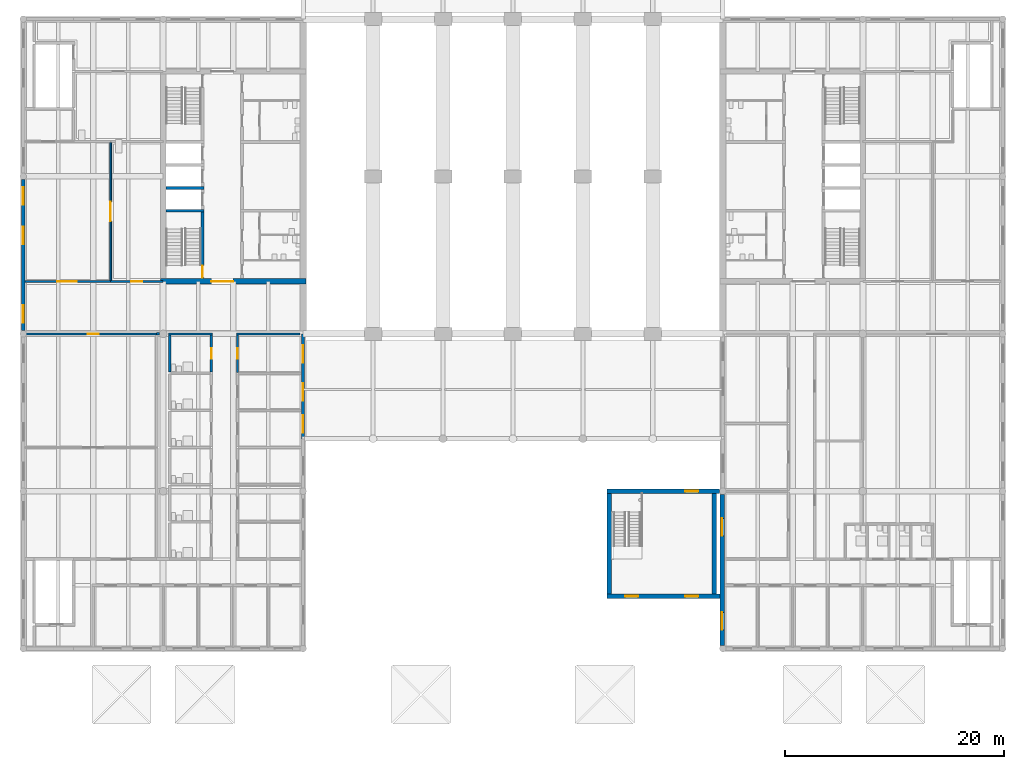
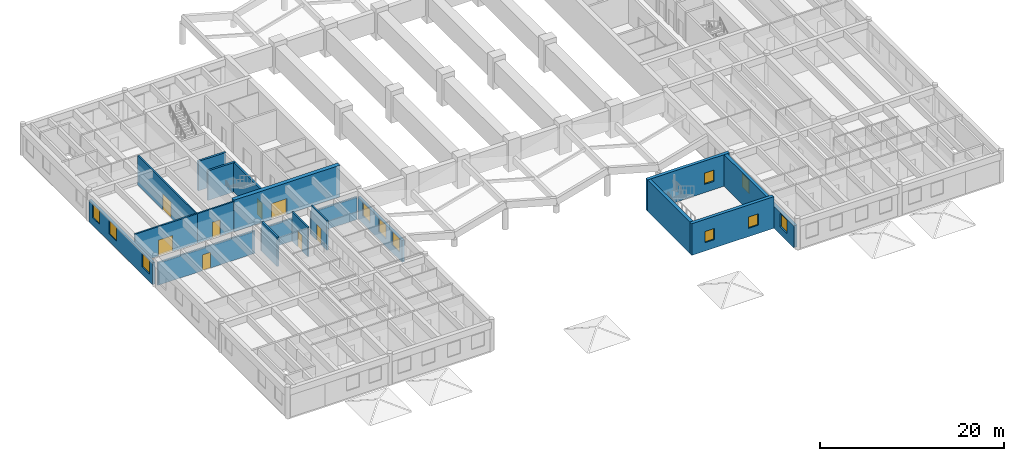
# One storey, part 7 of 19: 21 walls, 11 windows, 8 doors, 19 openings.
"""IFC4 building model written with IfcOpenShell, lengths in metres."""

from ifc_helpers import new_model, si_unit, direction, frame, frame_2d, origin, place, context, subcontext, project, spatial, rectangle, extrude, material, layer, layer_set, type_object, element, fill, save


model = new_model("IFC4")

# Units and contexts
model_context = context("Model", 3, precision=1e-05, world=origin(), true_north=direction((0.0, 1.0)))
body_context = subcontext(model_context, "Body", "Model", "MODEL_VIEW")
ifc_project = project(units=[si_unit("LENGTHUNIT", "METRE"), si_unit("AREAUNIT", "SQUARE_METRE"), si_unit("VOLUMEUNIT", "CUBIC_METRE"), si_unit("PLANEANGLEUNIT", "RADIAN"), si_unit("MASSUNIT", "GRAM", prefix="KILO")], contexts=[model_context])

# Site, building, storey
site_placement = place(None, origin())
site = spatial("IfcSite", under=ifc_project, at=site_placement, CompositionType="ELEMENT")
building_placement = place(site_placement, origin())
building = spatial("IfcBuilding", under=site, at=building_placement, Name="Fogon Plaza Fire Station and Headquarters Tower", CompositionType="ELEMENT")
storey_placement = place(building_placement, frame((0.0, 0.0, 4.199951171875)))
storey = spatial("IfcBuildingStorey", under=building, at=storey_placement, Name="L01", CompositionType="ELEMENT", Elevation=4.199951171875)

# Wall, openings, windows
ifc_material_1 = material(Name="Concrete C40", Category="concrete")
ifc_layer_1 = layer(ifc_material_1, 0.300048828125)
ifc_layer_set_1 = layer_set([ifc_layer_1], Name="Concrete C40")
wall_type_1 = type_object("IfcWallType", Name="Board-marked RC Infill Wall 300 Beam Head 100", PredefinedType="SOLIDWALL", material=ifc_layer_set_1)
wall_1_placement = place(storey_placement, frame((0.0, 29.10009765625, 0.0), z_axis=(0.0, 0.0, 1.0), x_axis=(0.0, 1.0, 0.0)))
wall_1 = element("IfcWall", 1, at=wall_1_placement, inside=storey, type_object=wall_type_1, Name="Exterior wall WW L01", PredefinedType="SOLIDWALL", context=body_context, shape_type="SweptSolid", body=[
    extrude(rectangle(XDim=13.7998046875, YDim=0.300048828125, at=frame_2d((6.89990234375, 0.0))), origin(), (0.0, 0.0, 1.0), 2.900146484375),
])
opening_1_placement = place(wall_1_placement, frame((0.699951171875, 0.0, 1.0)))
opening_1 = element("IfcOpeningElement", 2, at=opening_1_placement, cuts=wall_1, Name="Opening W1", PredefinedType="OPENING", context=body_context, shape_type="SweptSolid", body=[
    extrude(rectangle(XDim=1.60009765625, YDim=1.800048828125, at=frame_2d((0.800048828125, 0.89990234375))), frame((0.0, 0.159912109375, 0.0), z_axis=(0.0, -1.0, 0.0), x_axis=(1.0, 0.0, 0.0)), (0.0, 0.0, 1.0), 0.320068359375),
])
opening_2_placement = place(wall_1_placement, frame((7.89990234375, 0.0, 1.0)))
opening_2 = element("IfcOpeningElement", 3, at=opening_2_placement, cuts=wall_1, Name="Opening W1", PredefinedType="OPENING", context=body_context, shape_type="SweptSolid", body=[
    extrude(rectangle(XDim=1.60009765625, YDim=1.800048828125, at=frame_2d((0.800048828125, 0.89990234375))), frame((0.0, 0.159912109375, 0.0), z_axis=(0.0, -1.0, 0.0), x_axis=(1.0, 0.0, 0.0)), (0.0, 0.0, 1.0), 0.320068359375),
])
opening_3_placement = place(wall_1_placement, frame((11.5, 0.0, 1.0)))
opening_3 = element("IfcOpeningElement", 4, at=opening_3_placement, cuts=wall_1, Name="Opening W1", PredefinedType="OPENING", context=body_context, shape_type="SweptSolid", body=[
    extrude(rectangle(XDim=1.60009765625, YDim=1.800048828125, at=frame_2d((0.800048828125, 0.89990234375))), frame((0.0, 0.159912109375, 0.0), z_axis=(0.0, -1.0, 0.0), x_axis=(1.0, 0.0, 0.0)), (0.0, 0.0, 1.0), 0.320068359375),
])
ifc_material_2 = material(Name="Aluminium framed double glazing", Category="aluminium")
window_type_1 = type_object("IfcWindowType", Name="Window W1 1600x1800", PartitioningType="SINGLE_PANEL", PredefinedType="WINDOW", material=ifc_material_2)
window_1_placement = place(opening_1_placement, origin())
window_1 = element("IfcWindow", 5, at=window_1_placement, inside=storey, type_object=window_type_1, Name="Window W1 W L01", OverallHeight=1.800048828125, OverallWidth=1.60009765625, PartitioningType="SINGLE_PANEL", PredefinedType="WINDOW", context=body_context, shape_type="SweptSolid", body=[
    extrude(rectangle(XDim=1.60009765625, YDim=1.800048828125, at=frame_2d((0.800048828125, 0.89990234375))), frame((0.0, 0.030029296875, 0.0), z_axis=(0.0, -1.0, 0.0), x_axis=(1.0, 0.0, 0.0)), (0.0, 0.0, 1.0), 0.06005859375),
])
fill(opening_1, window_1)
window_2_placement = place(opening_2_placement, origin())
window_2 = element("IfcWindow", 6, at=window_2_placement, inside=storey, type_object=window_type_1, Name="Window W1 W L01", OverallHeight=1.800048828125, OverallWidth=1.60009765625, PartitioningType="SINGLE_PANEL", PredefinedType="WINDOW", context=body_context, shape_type="SweptSolid", body=[
    extrude(rectangle(XDim=1.60009765625, YDim=1.800048828125, at=frame_2d((0.800048828125, 0.89990234375))), frame((0.0, 0.030029296875, 0.0), z_axis=(0.0, -1.0, 0.0), x_axis=(1.0, 0.0, 0.0)), (0.0, 0.0, 1.0), 0.06005859375),
])
fill(opening_2, window_2)
window_3_placement = place(opening_3_placement, origin())
window_3 = element("IfcWindow", 7, at=window_3_placement, inside=storey, type_object=window_type_1, Name="Window W1 W L01", OverallHeight=1.800048828125, OverallWidth=1.60009765625, PartitioningType="SINGLE_PANEL", PredefinedType="WINDOW", context=body_context, shape_type="SweptSolid", body=[
    extrude(rectangle(XDim=1.60009765625, YDim=1.800048828125, at=frame_2d((0.800048828125, 0.89990234375))), frame((0.0, 0.030029296875, 0.0), z_axis=(0.0, -1.0, 0.0), x_axis=(1.0, 0.0, 0.0)), (0.0, 0.0, 1.0), 0.06005859375),
])
fill(opening_3, window_3)

wall_2_placement = place(storey_placement, frame((25.60009765625, 19.199951171875, 0.0), z_axis=(0.0, 0.0, 1.0), x_axis=(0.0, 1.0, 0.0)))
wall_2 = element("IfcWall", 8, at=wall_2_placement, inside=storey, type_object=wall_type_1, Name="Exterior wall WE L01", PredefinedType="SOLIDWALL", context=body_context, shape_type="SweptSolid", body=[
    extrude(rectangle(XDim=9.60009765625, YDim=0.300048828125, at=frame_2d((4.800048828125, 0.0))), origin(), (0.0, 0.0, 1.0), 2.900146484375),
])
opening_4_placement = place(wall_2_placement, frame((0.53759765625, 0.0, 1.0)))
opening_4 = element("IfcOpeningElement", 9, at=opening_4_placement, cuts=wall_2, Name="Opening W1", PredefinedType="OPENING", context=body_context, shape_type="SweptSolid", body=[
    extrude(rectangle(XDim=1.60009765625, YDim=1.800048828125, at=frame_2d((0.800048828125, 0.89990234375))), frame((0.0, 0.159912109375, 0.0), z_axis=(0.0, -1.0, 0.0), x_axis=(1.0, 0.0, 0.0)), (0.0, 0.0, 1.0), 0.320068359375),
])
opening_5_placement = place(wall_2_placement, frame((3.5, 0.0, 1.0)))
opening_5 = element("IfcOpeningElement", 10, at=opening_5_placement, cuts=wall_2, Name="Opening W1", PredefinedType="OPENING", context=body_context, shape_type="SweptSolid", body=[
    extrude(rectangle(XDim=1.60009765625, YDim=1.800048828125, at=frame_2d((0.800048828125, 0.89990234375))), frame((0.0, 0.159912109375, 0.0), z_axis=(0.0, -1.0, 0.0), x_axis=(1.0, 0.0, 0.0)), (0.0, 0.0, 1.0), 0.320068359375),
])
opening_6_placement = place(wall_2_placement, frame((6.96240234375, 0.0, 1.0)))
opening_6 = element("IfcOpeningElement", 11, at=opening_6_placement, cuts=wall_2, Name="Opening W1", PredefinedType="OPENING", context=body_context, shape_type="SweptSolid", body=[
    extrude(rectangle(XDim=1.60009765625, YDim=1.800048828125, at=frame_2d((0.800048828125, 0.89990234375))), frame((0.0, 0.159912109375, 0.0), z_axis=(0.0, -1.0, 0.0), x_axis=(1.0, 0.0, 0.0)), (0.0, 0.0, 1.0), 0.320068359375),
])
window_4_placement = place(opening_4_placement, origin())
window_4 = element("IfcWindow", 12, at=window_4_placement, inside=storey, type_object=window_type_1, Name="Window W1 E L01", OverallHeight=1.800048828125, OverallWidth=1.60009765625, PartitioningType="SINGLE_PANEL", PredefinedType="WINDOW", context=body_context, shape_type="SweptSolid", body=[
    extrude(rectangle(XDim=1.60009765625, YDim=1.800048828125, at=frame_2d((0.800048828125, 0.89990234375))), frame((0.0, 0.030029296875, 0.0), z_axis=(0.0, -1.0, 0.0), x_axis=(1.0, 0.0, 0.0)), (0.0, 0.0, 1.0), 0.06005859375),
])
fill(opening_4, window_4)
window_5_placement = place(opening_5_placement, origin())
window_5 = element("IfcWindow", 13, at=window_5_placement, inside=storey, type_object=window_type_1, Name="Window W1 E L01", OverallHeight=1.800048828125, OverallWidth=1.60009765625, PartitioningType="SINGLE_PANEL", PredefinedType="WINDOW", context=body_context, shape_type="SweptSolid", body=[
    extrude(rectangle(XDim=1.60009765625, YDim=1.800048828125, at=frame_2d((0.800048828125, 0.89990234375))), frame((0.0, 0.030029296875, 0.0), z_axis=(0.0, -1.0, 0.0), x_axis=(1.0, 0.0, 0.0)), (0.0, 0.0, 1.0), 0.06005859375),
])
fill(opening_5, window_5)
window_6_placement = place(opening_6_placement, origin())
window_6 = element("IfcWindow", 14, at=window_6_placement, inside=storey, type_object=window_type_1, Name="Window W1 E L01", OverallHeight=1.800048828125, OverallWidth=1.60009765625, PartitioningType="SINGLE_PANEL", PredefinedType="WINDOW", context=body_context, shape_type="SweptSolid", body=[
    extrude(rectangle(XDim=1.60009765625, YDim=1.800048828125, at=frame_2d((0.800048828125, 0.89990234375))), frame((0.0, 0.030029296875, 0.0), z_axis=(0.0, -1.0, 0.0), x_axis=(1.0, 0.0, 0.0)), (0.0, 0.0, 1.0), 0.06005859375),
])
fill(opening_6, window_6)

ifc_material_3 = material(Name="Concrete C40", Category="concrete")
ifc_layer_2 = layer(ifc_material_3, 0.425048828125)
ifc_layer_set_2 = layer_set([ifc_layer_2], Name="Concrete C40")
wall_type_2 = type_object("IfcWallType", Name="Board-marked RC Infill Wall 425", PredefinedType="SOLIDWALL", material=ifc_layer_set_2)
wall_3_placement = place(storey_placement, frame((63.9375, 0.300048828125, 0.0), z_axis=(0.0, 0.0, 1.0), x_axis=(0.0, 1.0, 0.0)))
wall_3 = element("IfcWall", 15, at=wall_3_placement, inside=storey, type_object=wall_type_2, Name="Exterior wall EW L01", PredefinedType="SOLIDWALL", context=body_context, shape_type="SweptSolid", body=[
    extrude(rectangle(XDim=13.800048828125, YDim=0.425048828125, at=frame_2d((6.89990234375, 0.0))), origin(), (0.0, 0.0, 1.0), 2.900146484375),
])
opening_7_placement = place(wall_3_placement, frame((1.425048828125, 0.0, 1.0)))
opening_7 = element("IfcOpeningElement", 16, at=opening_7_placement, cuts=wall_3, Name="Opening W1", PredefinedType="OPENING", context=body_context, shape_type="SweptSolid", body=[
    extrude(rectangle(XDim=1.60009765625, YDim=1.800048828125, at=frame_2d((0.800048828125, 0.89990234375))), frame((0.0, 0.222412109375, 0.0), z_axis=(0.0, -1.0, 0.0), x_axis=(1.0, 0.0, 0.0)), (0.0, 0.0, 1.0), 0.445068359375),
])
opening_8_placement = place(wall_3_placement, frame((10.02490234375, 0.0, 1.0)))
opening_8 = element("IfcOpeningElement", 17, at=opening_8_placement, cuts=wall_3, Name="Opening W1", PredefinedType="OPENING", context=body_context, shape_type="SweptSolid", body=[
    extrude(rectangle(XDim=1.60009765625, YDim=1.800048828125, at=frame_2d((0.800048828125, 0.89990234375))), frame((0.0, 0.222412109375, 0.0), z_axis=(0.0, -1.0, 0.0), x_axis=(1.0, 0.0, 0.0)), (0.0, 0.0, 1.0), 0.445068359375),
])
window_7_placement = place(opening_7_placement, origin())
window_7 = element("IfcWindow", 18, at=window_7_placement, inside=storey, type_object=window_type_1, Name="Window W1 W L01", OverallHeight=1.800048828125, OverallWidth=1.60009765625, PartitioningType="SINGLE_PANEL", PredefinedType="WINDOW", context=body_context, shape_type="SweptSolid", body=[
    extrude(rectangle(XDim=1.60009765625, YDim=1.800048828125, at=frame_2d((0.800048828125, 0.89990234375))), frame((0.0, 0.030029296875, 0.0), z_axis=(0.0, -1.0, 0.0), x_axis=(1.0, 0.0, 0.0)), (0.0, 0.0, 1.0), 0.06005859375),
])
fill(opening_7, window_7)
window_8_placement = place(opening_8_placement, origin())
window_8 = element("IfcWindow", 19, at=window_8_placement, inside=storey, type_object=window_type_1, Name="Window W1 W L01", OverallHeight=1.800048828125, OverallWidth=1.60009765625, PartitioningType="SINGLE_PANEL", PredefinedType="WINDOW", context=body_context, shape_type="SweptSolid", body=[
    extrude(rectangle(XDim=1.60009765625, YDim=1.800048828125, at=frame_2d((0.800048828125, 0.89990234375))), frame((0.0, 0.030029296875, 0.0), z_axis=(0.0, -1.0, 0.0), x_axis=(1.0, 0.0, 0.0)), (0.0, 0.0, 1.0), 0.06005859375),
])
fill(opening_8, window_8)

# Walls
ifc_material_4 = material(Name="Concrete C40", Category="concrete")
ifc_layer_3 = layer(ifc_material_4, 0.25)
ifc_layer_set_3 = layer_set([ifc_layer_3], Name="Concrete C40")
wall_type_3 = type_object("IfcWallType", Name="Core Wall RC 250", PredefinedType="SOLIDWALL", material=ifc_layer_set_3)
for number, where, z_axis, x_axis, name in (
    (20, (13.050048828125, 40.050048828125, 0.0), (0.0, 0.0, 1.0), (1.0, 0.0, 0.0), "Core A shaft wall"),
    (21, (13.050048828125, 42.14990234375, 0.0), (0.0, 0.0, 1.0), (1.0, 0.0, 0.0), "Core A shaft wall"),
):
    element("IfcWall", number, at=place(storey_placement, frame(where, z_axis=z_axis, x_axis=x_axis)), inside=storey, type_object=wall_type_3, Name=name, PredefinedType="SOLIDWALL", context=body_context, shape_type="SweptSolid", body=[
        extrude(rectangle(XDim=3.474853515625, YDim=0.25, at=frame_2d((1.7373046875, 0.0))), origin(), (0.0, 0.0, 1.0), 3.900146484375),
    ])

# Wall, opening, door
wall_4_placement = place(storey_placement, frame((16.39990234375, 33.85009765625, 0.0), z_axis=(0.0, 0.0, 1.0), x_axis=(0.0, 1.0, 0.0)))
wall_4 = element("IfcWall", 22, at=wall_4_placement, inside=storey, type_object=wall_type_3, Name="Core A shaft wall", PredefinedType="SOLIDWALL", context=body_context, shape_type="SweptSolid", body=[
    extrude(rectangle(XDim=6.074951171875, YDim=0.25, at=frame_2d((3.03759765625, 0.0))), origin(), (0.0, 0.0, 1.0), 3.900146484375),
])
opening_9_placement = place(wall_4_placement, frame((0.10009765625, 0.0, 0.0)))
opening_9 = element("IfcOpeningElement", 23, at=opening_9_placement, cuts=wall_4, Name="Opening L01-D01", PredefinedType="OPENING", context=body_context, shape_type="SweptSolid", body=[
    extrude(rectangle(XDim=1.10009765625, YDim=2.10009765625, at=frame_2d((0.550048828125, 1.050048828125))), frame((0.0, 0.135009765625, 0.0), z_axis=(0.0, -1.0, 0.0), x_axis=(1.0, 0.0, 0.0)), (0.0, 0.0, 1.0), 0.27001953125),
])
ifc_material_5 = material(Name="Steel Fire Door Leaf", Category="steel")
door_type_1 = type_object("IfcDoorType", Name="Stair Door Single 1100x2100", OperationType="SINGLE_SWING_LEFT", PredefinedType="DOOR", material=ifc_material_5)
door_1_placement = place(opening_9_placement, origin())
door_1 = element("IfcDoor", 24, at=door_1_placement, inside=storey, type_object=door_type_1, Name="Stair door ST1", OperationType="SINGLE_SWING_LEFT", OverallHeight=2.10009765625, OverallWidth=1.10009765625, PredefinedType="DOOR", context=body_context, shape_type="SweptSolid", body=[
    extrude(rectangle(XDim=1.10009765625, YDim=2.10009765625, at=frame_2d((0.550048828125, 1.050048828125))), frame((0.0, 0.02490234375, 0.0), z_axis=(0.0, -1.0, 0.0), x_axis=(1.0, 0.0, 0.0)), (0.0, 0.0, 1.0), 0.050048828125),
])
fill(opening_9, door_1)

ifc_material_6 = material(Name="Gypsum Board Fire Partition")
ifc_layer_4 = layer(ifc_material_6, 0.199951171875)
ifc_layer_set_4 = layer_set([ifc_layer_4], Name="Gypsum Board Fire Partition")
wall_type_4 = type_object("IfcWallType", Name="Corridor Wall EI 60", PredefinedType="PARTITIONING", material=ifc_layer_set_4)
wall_5_placement = place(storey_placement, frame((0.14990234375, 33.60009765625, 0.0), z_axis=(0.0, 0.0, 1.0), x_axis=(1.0, 0.0, 0.0)))
wall_5 = element("IfcWall", 25, at=wall_5_placement, inside=storey, type_object=wall_type_4, Name="wall-L01-W-029", PredefinedType="PARTITIONING", context=body_context, shape_type="SweptSolid", body=[
    extrude(rectangle(XDim=7.85009765625, YDim=0.199951171875, at=frame_2d((3.925048828125, 0.0))), origin(), (0.0, 0.0, 1.0), 3.900146484375),
])
opening_10_placement = place(wall_5_placement, frame((2.949951171875, 0.0, 0.0)))
opening_10 = element("IfcOpeningElement", 26, at=opening_10_placement, cuts=wall_5, Name="Opening L01-D53", PredefinedType="OPENING", context=body_context, shape_type="SweptSolid", body=[
    extrude(rectangle(XDim=1.800048828125, YDim=2.10009765625, at=frame_2d((0.89990234375, 1.050048828125))), frame((0.0, 0.10986328125, 0.0), z_axis=(0.0, -1.0, 0.0), x_axis=(1.0, 0.0, 0.0)), (0.0, 0.0, 1.0), 0.219970703125),
])
ifc_material_7 = material(Name="Steel Fire Door Leaf", Category="steel")
door_type_2 = type_object("IfcDoorType", Name="Corridor Door Double EI 20 1800x2100", OperationType="SINGLE_SWING_LEFT", PredefinedType="DOOR", material=ifc_material_7)
door_2_placement = place(opening_10_placement, frame((1.800048828125, 0.0, 0.0), z_axis=(0.0, 0.0, 1.0), x_axis=(-1.0, 0.0, 0.0)))
door_2 = element("IfcDoor", 27, at=door_2_placement, inside=storey, type_object=door_type_2, Name="door-L01-W-23", OperationType="DOUBLE_DOOR_SINGLE_SWING", OverallHeight=2.10009765625, OverallWidth=1.800048828125, PredefinedType="DOOR", context=body_context, shape_type="SweptSolid", body=[
    extrude(rectangle(XDim=1.800048828125, YDim=2.10009765625, at=frame_2d((0.89990234375, 1.050048828125))), frame((0.0, 0.02490234375, 0.0), z_axis=(0.0, -1.0, 0.0), x_axis=(1.0, 0.0, 0.0)), (0.0, 0.0, 1.0), 0.050048828125),
])
fill(opening_10, door_2)

wall_6_placement = place(storey_placement, frame((8.0, 33.60009765625, 0.0), z_axis=(0.0, 0.0, 1.0), x_axis=(1.0, 0.0, 0.0)))
wall_6 = element("IfcWall", 28, at=wall_6_placement, inside=storey, type_object=wall_type_4, Name="wall-L01-W-030", PredefinedType="PARTITIONING", context=body_context, shape_type="SweptSolid", body=[
    extrude(rectangle(XDim=4.800048828125, YDim=0.199951171875, at=frame_2d((2.39990234375, 0.0))), origin(), (0.0, 0.0, 1.0), 3.900146484375),
])
opening_11_placement = place(wall_6_placement, frame((1.89990234375, 0.0, 0.0)))
opening_11 = element("IfcOpeningElement", 29, at=opening_11_placement, cuts=wall_6, Name="Opening L01-D54", PredefinedType="OPENING", context=body_context, shape_type="SweptSolid", body=[
    extrude(rectangle(XDim=1.0, YDim=2.10009765625, at=frame_2d((0.5, 1.050048828125))), frame((0.0, 0.10986328125, 0.0), z_axis=(0.0, -1.0, 0.0), x_axis=(1.0, 0.0, 0.0)), (0.0, 0.0, 1.0), 0.219970703125),
])
ifc_material_8 = material(Name="Steel Fire Door Leaf", Category="steel")
door_type_3 = type_object("IfcDoorType", Name="Corridor Door EI 20 1000x2100", OperationType="SINGLE_SWING_LEFT", PredefinedType="DOOR", material=ifc_material_8)
door_3_placement = place(opening_11_placement, origin())
door_3 = element("IfcDoor", 30, at=door_3_placement, inside=storey, type_object=door_type_3, Name="door-L01-W-24", OperationType="SINGLE_SWING_RIGHT", OverallHeight=2.10009765625, OverallWidth=1.0, PredefinedType="DOOR", context=body_context, shape_type="SweptSolid", body=[
    extrude(rectangle(XDim=1.0, YDim=2.10009765625, at=frame_2d((0.5, 1.050048828125))), frame((0.0, 0.02490234375, 0.0), z_axis=(0.0, -1.0, 0.0), x_axis=(1.0, 0.0, 0.0)), (0.0, 0.0, 1.0), 0.050048828125),
])
fill(opening_11, door_3)

wall_7_placement = place(storey_placement, frame((17.199951171875, 25.28759765625, 0.0), z_axis=(0.0, 0.0, 1.0), x_axis=(0.0, 1.0, 0.0)))
wall_7 = element("IfcWall", 31, at=wall_7_placement, inside=storey, type_object=wall_type_4, Name="wall-L01-W-064", PredefinedType="PARTITIONING", context=body_context, shape_type="SweptSolid", body=[
    extrude(rectangle(XDim=3.412353515625, YDim=0.199951171875, at=frame_2d((1.7060546875, 0.0))), origin(), (0.0, 0.0, 1.0), 3.900146484375),
])
opening_12_placement = place(wall_7_placement, frame((1.21240234375, 0.0, 0.0)))
opening_12 = element("IfcOpeningElement", 32, at=opening_12_placement, cuts=wall_7, Name="Opening L01-D44", PredefinedType="OPENING", context=body_context, shape_type="SweptSolid", body=[
    extrude(rectangle(XDim=1.0, YDim=2.10009765625, at=frame_2d((0.5, 1.050048828125))), frame((0.0, 0.10986328125, 0.0), z_axis=(0.0, -1.0, 0.0), x_axis=(1.0, 0.0, 0.0)), (0.0, 0.0, 1.0), 0.219970703125),
])
door_4_placement = place(opening_12_placement, origin())
door_4 = element("IfcDoor", 33, at=door_4_placement, inside=storey, type_object=door_type_3, Name="door-L01-W-14", OperationType="SINGLE_SWING_LEFT", OverallHeight=2.10009765625, OverallWidth=1.0, PredefinedType="DOOR", context=body_context, shape_type="SweptSolid", body=[
    extrude(rectangle(XDim=1.0, YDim=2.10009765625, at=frame_2d((0.5, 1.050048828125))), frame((0.0, 0.02490234375, 0.0), z_axis=(0.0, -1.0, 0.0), x_axis=(1.0, 0.0, 0.0)), (0.0, 0.0, 1.0), 0.050048828125),
])
fill(opening_12, door_4)

wall_8_placement = place(storey_placement, frame((19.60009765625, 25.27490234375, 0.0), z_axis=(0.0, 0.0, 1.0), x_axis=(0.0, 1.0, 0.0)))
wall_8 = element("IfcWall", 34, at=wall_8_placement, inside=storey, type_object=wall_type_4, Name="wall-L01-W-071", PredefinedType="PARTITIONING", context=body_context, shape_type="SweptSolid", body=[
    extrude(rectangle(XDim=3.425048828125, YDim=0.199951171875, at=frame_2d((1.71240234375, 0.0))), origin(), (0.0, 0.0, 1.0), 3.900146484375),
])
opening_13_placement = place(wall_8_placement, frame((1.22509765625, 0.0, 0.0)))
opening_13 = element("IfcOpeningElement", 35, at=opening_13_placement, cuts=wall_8, Name="Opening L01-D50", PredefinedType="OPENING", context=body_context, shape_type="SweptSolid", body=[
    extrude(rectangle(XDim=1.0, YDim=2.10009765625, at=frame_2d((0.5, 1.050048828125))), frame((0.0, 0.10986328125, 0.0), z_axis=(0.0, -1.0, 0.0), x_axis=(1.0, 0.0, 0.0)), (0.0, 0.0, 1.0), 0.219970703125),
])
door_5_placement = place(opening_13_placement, frame((1.0, 0.0, 0.0), z_axis=(0.0, 0.0, 1.0), x_axis=(-1.0, 0.0, 0.0)))
door_5 = element("IfcDoor", 36, at=door_5_placement, inside=storey, type_object=door_type_3, Name="door-L01-W-20", OperationType="SINGLE_SWING_RIGHT", OverallHeight=2.10009765625, OverallWidth=1.0, PredefinedType="DOOR", context=body_context, shape_type="SweptSolid", body=[
    extrude(rectangle(XDim=1.0, YDim=2.10009765625, at=frame_2d((0.5, 1.050048828125))), frame((0.0, 0.02490234375, 0.0), z_axis=(0.0, -1.0, 0.0), x_axis=(1.0, 0.0, 0.0)), (0.0, 0.0, 1.0), 0.050048828125),
])
fill(opening_13, door_5)

ifc_material_9 = material(Name="Gypsum Board Fire Partition")
ifc_layer_5 = layer(ifc_material_9, 0.199951171875)
ifc_layer_set_5 = layer_set([ifc_layer_5], Name="Gypsum Board Fire Partition")
wall_type_5 = type_object("IfcWallType", Name="Corridor Wall EI 60 Beam Head 900", PredefinedType="PARTITIONING", material=ifc_layer_set_5)
wall_9_placement = place(storey_placement, frame((0.27001953125, 28.800048828125, 0.0), z_axis=(0.0, 0.0, 1.0), x_axis=(1.0, 0.0, 0.0)))
wall_9 = element("IfcWall", 37, at=wall_9_placement, inside=storey, type_object=wall_type_5, Name="wall-L01-W-025", PredefinedType="PARTITIONING", context=body_context, shape_type="SweptSolid", body=[
    extrude(rectangle(XDim=11.929931640625, YDim=0.199951171875, at=frame_2d((5.96484375, 0.0))), origin(), (0.0, 0.0, 1.0), 3.0),
])
opening_14_placement = place(wall_9_placement, frame((5.6298828125, 0.0, 0.0)))
opening_14 = element("IfcOpeningElement", 38, at=opening_14_placement, cuts=wall_9, Name="Opening L01-D51", PredefinedType="OPENING", context=body_context, shape_type="SweptSolid", body=[
    extrude(rectangle(XDim=1.0, YDim=2.10009765625, at=frame_2d((0.5, 1.050048828125))), frame((0.0, 0.10986328125, 0.0), z_axis=(0.0, -1.0, 0.0), x_axis=(1.0, 0.0, 0.0)), (0.0, 0.0, 1.0), 0.219970703125),
])
door_6_placement = place(opening_14_placement, frame((1.0, 0.0, 0.0), z_axis=(0.0, 0.0, 1.0), x_axis=(-1.0, 0.0, 0.0)))
door_6 = element("IfcDoor", 39, at=door_6_placement, inside=storey, type_object=door_type_3, Name="door-L01-W-21", OperationType="SINGLE_SWING_LEFT", OverallHeight=2.10009765625, OverallWidth=1.0, PredefinedType="DOOR", context=body_context, shape_type="SweptSolid", body=[
    extrude(rectangle(XDim=1.0, YDim=2.10009765625, at=frame_2d((0.5, 1.050048828125))), frame((0.0, 0.02490234375, 0.0), z_axis=(0.0, -1.0, 0.0), x_axis=(1.0, 0.0, 0.0)), (0.0, 0.0, 1.0), 0.050048828125),
])
fill(opening_14, door_6)

# Walls
wall_10_placement = place(storey_placement, frame((13.27490234375, 28.800048828125, 0.0), z_axis=(0.0, 0.0, 1.0), x_axis=(1.0, 0.0, 0.0)))
element("IfcWall", 40, at=wall_10_placement, inside=storey, type_object=wall_type_5, Name="wall-L01-W-027", PredefinedType="PARTITIONING", context=body_context, shape_type="SweptSolid", body=[
    extrude(rectangle(XDim=4.025146484375, YDim=0.199951171875, at=frame_2d((2.0126953125, 0.0))), origin(), (0.0, 0.0, 1.0), 3.0),
])
wall_11_placement = place(storey_placement, frame((19.5, 28.800048828125, 0.0), z_axis=(0.0, 0.0, 1.0), x_axis=(1.0, 0.0, 0.0)))
element("IfcWall", 41, at=wall_11_placement, inside=storey, type_object=wall_type_5, Name="wall-L01-W-028", PredefinedType="PARTITIONING", context=body_context, shape_type="SweptSolid", body=[
    extrude(rectangle(XDim=5.81005859375, YDim=0.199951171875, at=frame_2d((2.905029296875, 0.0))), origin(), (0.0, 0.0, 1.0), 3.0),
])

# Wall, opening, window
ifc_material_10 = material(Name="Concrete C40", Category="concrete")
ifc_layer_6 = layer(ifc_material_10, 0.39990234375)
ifc_layer_set_6 = layer_set([ifc_layer_6], Name="Concrete C40")
wall_type_6 = type_object("IfcWallType", Name="Shear wall 400 DW40", PredefinedType="SHEAR", material=ifc_layer_set_6)
wall_12_placement = place(storey_placement, frame((53.39990234375, 14.39990234375, 0.0), z_axis=(0.0, 0.0, 1.0), x_axis=(1.0, 0.0, 0.0)))
wall_12 = element("IfcWall", 42, at=wall_12_placement, inside=storey, type_object=wall_type_6, Name="wall-drill-N-L01", PredefinedType="SHEAR", context=body_context, shape_type="SweptSolid", body=[
    extrude(rectangle(XDim=10.300048828125, YDim=0.39990234375, at=frame_2d((5.14990234375, 0.0))), origin(), (0.0, 0.0, 1.0), 4.199951171875),
])
opening_15_placement = place(wall_12_placement, frame((7.14990234375, 0.0, 1.10009765625)))
opening_15 = element("IfcOpeningElement", 43, at=opening_15_placement, cuts=wall_12, Name="Opening WT1", PredefinedType="OPENING", context=body_context, shape_type="SweptSolid", body=[
    extrude(rectangle(XDim=1.199951171875, YDim=1.5, at=frame_2d((0.60009765625, 0.75))), frame((0.0, 0.2099609375, 0.0), z_axis=(0.0, -1.0, 0.0), x_axis=(1.0, 0.0, 0.0)), (0.0, 0.0, 1.0), 0.419921875),
])
ifc_material_11 = material(Name="Galvanised steel framed glazing with grille", Category="steel")
window_type_2 = type_object("IfcWindowType", Name="Training Opening WT1 1200x1500", PartitioningType="SINGLE_PANEL", PredefinedType="WINDOW", material=ifc_material_11)
window_9_placement = place(opening_15_placement, origin())
window_9 = element("IfcWindow", 44, at=window_9_placement, inside=storey, type_object=window_type_2, Name="Training opening N L01", OverallHeight=1.5, OverallWidth=1.199951171875, PartitioningType="SINGLE_PANEL", PredefinedType="WINDOW", context=body_context, shape_type="SweptSolid", body=[
    extrude(rectangle(XDim=1.199951171875, YDim=1.5, at=frame_2d((0.60009765625, 0.75))), frame((0.0, 0.030029296875, 0.0), z_axis=(0.0, -1.0, 0.0), x_axis=(1.0, 0.0, 0.0)), (0.0, 0.0, 1.0), 0.06005859375),
])
fill(opening_15, window_9)

# Wall, openings, windows
wall_13_placement = place(storey_placement, frame((53.39990234375, 4.800048828125, 0.0), z_axis=(0.0, 0.0, 1.0), x_axis=(1.0, 0.0, 0.0)))
wall_13 = element("IfcWall", 45, at=wall_13_placement, inside=storey, type_object=wall_type_6, Name="wall-drill-S-L01", PredefinedType="SHEAR", context=body_context, shape_type="SweptSolid", body=[
    extrude(rectangle(XDim=10.3251953125, YDim=0.39990234375, at=frame_2d((5.16259765625, 0.0))), origin(), (0.0, 0.0, 1.0), 4.199951171875),
])
opening_16_placement = place(wall_13_placement, frame((1.64990234375, 0.0, 1.10009765625)))
opening_16 = element("IfcOpeningElement", 46, at=opening_16_placement, cuts=wall_13, Name="Opening WT1", PredefinedType="OPENING", context=body_context, shape_type="SweptSolid", body=[
    extrude(rectangle(XDim=1.199951171875, YDim=1.5, at=frame_2d((0.60009765625, 0.75))), frame((0.0, 0.2099609375, 0.0), z_axis=(0.0, -1.0, 0.0), x_axis=(1.0, 0.0, 0.0)), (0.0, 0.0, 1.0), 0.419921875),
])
opening_17_placement = place(wall_13_placement, frame((7.14990234375, 0.0, 1.10009765625)))
opening_17 = element("IfcOpeningElement", 47, at=opening_17_placement, cuts=wall_13, Name="Opening WT1", PredefinedType="OPENING", context=body_context, shape_type="SweptSolid", body=[
    extrude(rectangle(XDim=1.199951171875, YDim=1.5, at=frame_2d((0.60009765625, 0.75))), frame((0.0, 0.2099609375, 0.0), z_axis=(0.0, -1.0, 0.0), x_axis=(1.0, 0.0, 0.0)), (0.0, 0.0, 1.0), 0.419921875),
])
window_10_placement = place(opening_16_placement, origin())
window_10 = element("IfcWindow", 48, at=window_10_placement, inside=storey, type_object=window_type_2, Name="Training opening S L01", OverallHeight=1.5, OverallWidth=1.199951171875, PartitioningType="SINGLE_PANEL", PredefinedType="WINDOW", context=body_context, shape_type="SweptSolid", body=[
    extrude(rectangle(XDim=1.199951171875, YDim=1.5, at=frame_2d((0.60009765625, 0.75))), frame((0.0, 0.030029296875, 0.0), z_axis=(0.0, -1.0, 0.0), x_axis=(1.0, 0.0, 0.0)), (0.0, 0.0, 1.0), 0.06005859375),
])
fill(opening_16, window_10)
window_11_placement = place(opening_17_placement, origin())
window_11 = element("IfcWindow", 49, at=window_11_placement, inside=storey, type_object=window_type_2, Name="Training opening S L01", OverallHeight=1.5, OverallWidth=1.199951171875, PartitioningType="SINGLE_PANEL", PredefinedType="WINDOW", context=body_context, shape_type="SweptSolid", body=[
    extrude(rectangle(XDim=1.199951171875, YDim=1.5, at=frame_2d((0.60009765625, 0.75))), frame((0.0, 0.030029296875, 0.0), z_axis=(0.0, -1.0, 0.0), x_axis=(1.0, 0.0, 0.0)), (0.0, 0.0, 1.0), 0.06005859375),
])
fill(opening_17, window_11)

# Walls
for number, where, z_axis, x_axis, name in (
    (50, (63.199951171875, 5.0, 0.0), (0.0, 0.0, 1.0), (0.0, 1.0, 0.0), "wall-drill-E-L01"),
    (51, (53.60009765625, 5.0, 0.0), (0.0, 0.0, 1.0), (0.0, 1.0, 0.0), "wall-drill-W-L01"),
):
    element("IfcWall", number, at=place(storey_placement, frame(where, z_axis=z_axis, x_axis=x_axis)), inside=storey, type_object=wall_type_6, Name=name, PredefinedType="SHEAR", context=body_context, shape_type="SweptSolid", body=[
        extrude(rectangle(XDim=9.199951171875, YDim=0.39990234375, at=frame_2d((4.60009765625, 0.0))), origin(), (0.0, 0.0, 1.0), 4.199951171875),
    ])

# Wall, opening, door
ifc_material_12 = material(Name="Concrete C40", Category="concrete")
ifc_layer_7 = layer(ifc_material_12, 0.5)
ifc_layer_set_7 = layer_set([ifc_layer_7], Name="Concrete C40")
wall_type_7 = type_object("IfcWallType", Name="Shear wall 500 SW50", PredefinedType="SHEAR", material=ifc_layer_set_7)
wall_14_placement = place(storey_placement, frame((12.550048828125, 33.60009765625, 0.0), z_axis=(0.0, 0.0, 1.0), x_axis=(1.0, 0.0, 0.0)))
wall_14 = element("IfcWall", 52, at=wall_14_placement, inside=storey, type_object=wall_type_7, Name="wall-coreA-S-L01", PredefinedType="SHEAR", context=body_context, shape_type="SweptSolid", body=[
    extrude(rectangle(XDim=13.300048828125, YDim=0.5, at=frame_2d((6.64990234375, 0.0))), origin(), (0.0, 0.0, 1.0), 4.199951171875),
])
opening_18_placement = place(wall_14_placement, frame((4.64990234375, 0.0, 0.0)))
opening_18 = element("IfcOpeningElement", 53, at=opening_18_placement, cuts=wall_14, Name="Opening L01-D14", PredefinedType="OPENING", context=body_context, shape_type="SweptSolid", body=[
    extrude(rectangle(XDim=2.0, YDim=2.10009765625, at=frame_2d((1.0, 1.050048828125))), frame((0.0, 0.260009765625, 0.0), z_axis=(0.0, -1.0, 0.0), x_axis=(1.0, 0.0, 0.0)), (0.0, 0.0, 1.0), 0.52001953125),
])
ifc_material_13 = material(Name="Steel Fire Door Leaf", Category="steel")
door_type_4 = type_object("IfcDoorType", Name="Core Lobby Double 2000x2100", OperationType="DOUBLE_DOOR_SINGLE_SWING", PredefinedType="DOOR", material=ifc_material_13)
door_7_placement = place(opening_18_placement, origin())
door_7 = element("IfcDoor", 54, at=door_7_placement, inside=storey, type_object=door_type_4, Name="Core A lobby door S", OperationType="DOUBLE_DOOR_SINGLE_SWING", OverallHeight=2.10009765625, OverallWidth=2.0, PredefinedType="DOOR", context=body_context, shape_type="SweptSolid", body=[
    extrude(rectangle(XDim=2.0, YDim=2.10009765625, at=frame_2d((1.0, 1.050048828125))), frame((0.0, 0.02490234375, 0.0), z_axis=(0.0, -1.0, 0.0), x_axis=(1.0, 0.0, 0.0)), (0.0, 0.0, 1.0), 0.050048828125),
])
fill(opening_18, door_7)

# Walls
ifc_material_14 = material(Name="Concrete Block Fire Wall", Category="concrete")
ifc_layer_8 = layer(ifc_material_14, 0.25)
ifc_layer_set_8 = layer_set([ifc_layer_8], Name="Concrete Block Fire Wall")
wall_type_8 = type_object("IfcWallType", Name="Stair and Shaft Wall EI 120", PredefinedType="PARTITIONING", material=ifc_layer_set_8)
wall_15_placement = place(storey_placement, frame((13.39990234375, 25.28759765625, 0.0), z_axis=(0.0, 0.0, 1.0), x_axis=(0.0, 1.0, 0.0)))
element("IfcWall", 55, at=wall_15_placement, inside=storey, type_object=wall_type_8, Name="wall-L01-W-057", PredefinedType="PARTITIONING", context=body_context, shape_type="SweptSolid", body=[
    extrude(rectangle(XDim=3.412353515625, YDim=0.25, at=frame_2d((1.7060546875, 0.0))), origin(), (0.0, 0.0, 1.0), 3.900146484375),
])
ifc_material_15 = material(Name="Concrete Block Fire Wall", Category="concrete")
ifc_layer_9 = layer(ifc_material_15, 0.25)
ifc_layer_set_9 = layer_set([ifc_layer_9], Name="Concrete Block Fire Wall")
wall_type_9 = type_object("IfcWallType", Name="Stair and Shaft Wall EI 120 Beam Head 900", PredefinedType="PARTITIONING", material=ifc_layer_set_9)
wall_16_placement = place(storey_placement, frame((12.199951171875, 28.800048828125, 0.0), z_axis=(0.0, 0.0, 1.0), x_axis=(1.0, 0.0, 0.0)))
element("IfcWall", 56, at=wall_16_placement, inside=storey, type_object=wall_type_9, Name="wall-L01-W-026", PredefinedType="PARTITIONING", context=body_context, shape_type="SweptSolid", body=[
    extrude(rectangle(XDim=0.280029296875, YDim=0.25, at=frame_2d((0.14013671875, 0.0))), origin(), (0.0, 0.0, 1.0), 3.0),
])

# Wall, opening, door
ifc_material_16 = material(Name="Tiled Concrete Block Wall", Category="concrete")
ifc_layer_10 = layer(ifc_material_16, 0.175048828125)
ifc_layer_set_10 = layer_set([ifc_layer_10], Name="Tiled Concrete Block Wall")
wall_type_10 = type_object("IfcWallType", Name="Wet Area Block Wall 175", PredefinedType="PARTITIONING", material=ifc_layer_set_10)
wall_17_placement = place(storey_placement, frame((8.0, 33.699951171875, 0.0), z_axis=(0.0, 0.0, 1.0), x_axis=(0.0, 1.0, 0.0)))
wall_17 = element("IfcWall", 57, at=wall_17_placement, inside=storey, type_object=wall_type_10, Name="wall-L01-W-048", PredefinedType="PARTITIONING", context=body_context, shape_type="SweptSolid", body=[
    extrude(rectangle(XDim=12.612548828125, YDim=0.175048828125, at=frame_2d((6.30615234375, 0.0))), origin(), (0.0, 0.0, 1.0), 3.900146484375),
])
opening_19_placement = place(wall_17_placement, frame((5.39990234375, 0.0, 0.0)))
opening_19 = element("IfcOpeningElement", 58, at=opening_19_placement, cuts=wall_17, Name="Opening L01-D55", PredefinedType="OPENING", context=body_context, shape_type="SweptSolid", body=[
    extrude(rectangle(XDim=1.800048828125, YDim=2.10009765625, at=frame_2d((0.89990234375, 1.050048828125))), frame((0.0, 0.097412109375, 0.0), z_axis=(0.0, -1.0, 0.0), x_axis=(1.0, 0.0, 0.0)), (0.0, 0.0, 1.0), 0.195068359375),
])
ifc_material_17 = material(Name="Timber Door Leaf", Category="wood")
door_type_5 = type_object("IfcDoorType", Name="Door Double Swing 1800x2100", OperationType="SINGLE_SWING_LEFT", PredefinedType="DOOR", material=ifc_material_17)
door_8_placement = place(opening_19_placement, frame((1.800048828125, 0.0, 0.0), z_axis=(0.0, 0.0, 1.0), x_axis=(-1.0, 0.0, 0.0)))
door_8 = element("IfcDoor", 59, at=door_8_placement, inside=storey, type_object=door_type_5, Name="door-L01-W-25", OperationType="DOUBLE_DOOR_SINGLE_SWING", OverallHeight=2.10009765625, OverallWidth=1.800048828125, PredefinedType="DOOR", context=body_context, shape_type="SweptSolid", body=[
    extrude(rectangle(XDim=1.800048828125, YDim=2.10009765625, at=frame_2d((0.89990234375, 1.050048828125))), frame((0.0, 0.02490234375, 0.0), z_axis=(0.0, -1.0, 0.0), x_axis=(1.0, 0.0, 0.0)), (0.0, 0.0, 1.0), 0.050048828125),
])
fill(opening_19, door_8)

save(model, "model.ifc")
